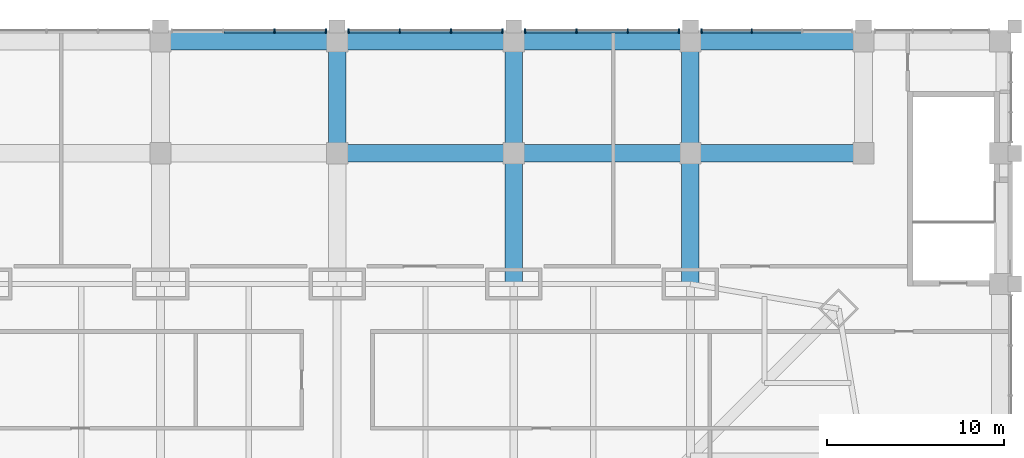
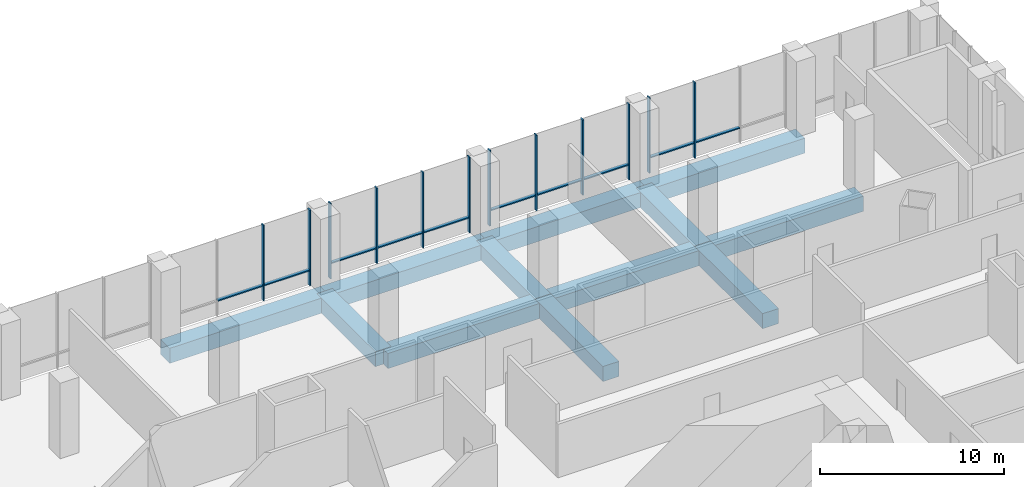
# One storey, part 11 of 22: 22 members, 12 beams, 4 elements without a shape of their own.
"""IFC4 building model written with IfcOpenShell, lengths in metres."""

from ifc_helpers import new_model, si_unit, direction, frame, origin, origin_2d, place, context, subcontext, project, spatial, rectangle, extrude, material, material_profile, profile_set, type_object, element, aggregate, save


model = new_model("IFC4")

# Units and contexts
model_context = context("Model", 3, precision=1e-05, world=origin(), true_north=direction((0.0, 1.0)))
body_context = subcontext(model_context, "Body", "Model", "MODEL_VIEW")
ifc_project = project(units=[si_unit("LENGTHUNIT", "METRE"), si_unit("AREAUNIT", "SQUARE_METRE"), si_unit("VOLUMEUNIT", "CUBIC_METRE"), si_unit("PLANEANGLEUNIT", "RADIAN"), si_unit("MASSUNIT", "GRAM", prefix="KILO")], contexts=[model_context])

# Site, building, storey
site_placement = place(None, origin())
site = spatial("IfcSite", under=ifc_project, at=site_placement, CompositionType="ELEMENT")
building_placement = place(site_placement, origin())
building = spatial("IfcBuilding", under=site, at=building_placement, Name="Khuree Lantern Residences", CompositionType="ELEMENT")
storey_placement = place(building_placement, frame((0.0, 0.0, 16.0)))
storey = spatial("IfcBuildingStorey", under=building, at=storey_placement, Name="L03", CompositionType="ELEMENT", Elevation=16.0)

# Curtain wall, members
ifc_material_1 = material(Name="Bronze anodised aluminium", Category="aluminium")
curtain_wall_type = type_object("IfcCurtainWallType", Name="CW-P PODIUM STOREFRONT CURTAIN WALL", PredefinedType="USERDEFINED", material=ifc_material_1)
curtain_wall_1_placement = place(storey_placement, origin())
curtain_wall_1 = element("IfcCurtainWall", 1, at=curtain_wall_1_placement, inside=storey, type_object=curtain_wall_type, Name="L03 NORTH FACE BAY 2 STOREFRONT", ObjectType="Storefront curtain wall", PredefinedType="USERDEFINED")
ifc_material_profile_1 = material_profile(ifc_material_1, rectangle(XDim=0.074951171875, YDim=0.25, at=origin_2d()), Name="M5 75X250")
ifc_profile_set_1 = profile_set([ifc_material_profile_1], Name="Bronze anodised aluminium")
member_type_1 = type_object("IfcMemberType", Name="MULLION M5 STOREFRONT 75X250", PredefinedType="MULLION", material=ifc_profile_set_1)
member_1_placement = place(storey_placement, frame((23.479248046875, 44.125, 0.0), z_axis=(0.0, 0.0, 1.0), x_axis=(-1.0, 0.0, 0.0)))
member_1 = element("IfcMember", 2, at=member_1_placement, type_object=member_type_1, Name="L03 NORTH FACE BAY 2 MULLION 3", PredefinedType="MULLION", context=body_context, shape_type="SweptSolid", body=[
    extrude(rectangle(XDim=0.074951171875, YDim=0.25, at=origin_2d()), origin(), (0.0, 0.0, 1.0), 5.0),
])
member_2_placement = place(storey_placement, frame((20.637451171875, 44.125, 0.0), z_axis=(0.0, 0.0, 1.0), x_axis=(-1.0, 0.0, 0.0)))
member_2 = element("IfcMember", 3, at=member_2_placement, type_object=member_type_1, Name="L03 NORTH FACE BAY 2 MULLION 4", PredefinedType="MULLION", context=body_context, shape_type="SweptSolid", body=[
    extrude(rectangle(XDim=0.074951171875, YDim=0.25, at=origin_2d()), origin(), (0.0, 0.0, 1.0), 5.0),
])

curtain_wall_2_placement = place(storey_placement, origin())
curtain_wall_2 = element("IfcCurtainWall", 4, at=curtain_wall_2_placement, inside=storey, type_object=curtain_wall_type, Name="L03 NORTH FACE BAY 3 STOREFRONT", ObjectType="Storefront curtain wall", PredefinedType="USERDEFINED")
member_3_placement = place(storey_placement, frame((19.362548828125, 44.125, 0.0), z_axis=(0.0, 0.0, 1.0), x_axis=(-1.0, 0.0, 0.0)))
member_3 = element("IfcMember", 5, at=member_3_placement, type_object=member_type_1, Name="L03 NORTH FACE BAY 3 MULLION 1", PredefinedType="MULLION", context=body_context, shape_type="SweptSolid", body=[
    extrude(rectangle(XDim=0.074951171875, YDim=0.25, at=origin_2d()), origin(), (0.0, 0.0, 1.0), 5.0),
])
member_4_placement = place(storey_placement, frame((16.4541015625, 44.125, 0.0), z_axis=(0.0, 0.0, 1.0), x_axis=(-1.0, 0.0, 0.0)))
member_4 = element("IfcMember", 6, at=member_4_placement, type_object=member_type_1, Name="L03 NORTH FACE BAY 3 MULLION 2", PredefinedType="MULLION", context=body_context, shape_type="SweptSolid", body=[
    extrude(rectangle(XDim=0.074951171875, YDim=0.25, at=origin_2d()), origin(), (0.0, 0.0, 1.0), 5.0),
])
member_5_placement = place(storey_placement, frame((13.5458984375, 44.125, 0.0), z_axis=(0.0, 0.0, 1.0), x_axis=(-1.0, 0.0, 0.0)))
member_5 = element("IfcMember", 7, at=member_5_placement, type_object=member_type_1, Name="L03 NORTH FACE BAY 3 MULLION 3", PredefinedType="MULLION", context=body_context, shape_type="SweptSolid", body=[
    extrude(rectangle(XDim=0.074951171875, YDim=0.25, at=origin_2d()), origin(), (0.0, 0.0, 1.0), 5.0),
])
member_6_placement = place(storey_placement, frame((10.637451171875, 44.125, 0.0), z_axis=(0.0, 0.0, 1.0), x_axis=(-1.0, 0.0, 0.0)))
member_6 = element("IfcMember", 8, at=member_6_placement, type_object=member_type_1, Name="L03 NORTH FACE BAY 3 MULLION 4", PredefinedType="MULLION", context=body_context, shape_type="SweptSolid", body=[
    extrude(rectangle(XDim=0.074951171875, YDim=0.25, at=origin_2d()), origin(), (0.0, 0.0, 1.0), 5.0),
])

curtain_wall_3_placement = place(storey_placement, origin())
curtain_wall_3 = element("IfcCurtainWall", 9, at=curtain_wall_3_placement, inside=storey, type_object=curtain_wall_type, Name="L03 NORTH FACE BAY 4 STOREFRONT", ObjectType="Storefront curtain wall", PredefinedType="USERDEFINED")
member_7_placement = place(storey_placement, frame((9.362548828125, 44.125, 0.0), z_axis=(0.0, 0.0, 1.0), x_axis=(-1.0, 0.0, 0.0)))
member_7 = element("IfcMember", 10, at=member_7_placement, type_object=member_type_1, Name="L03 NORTH FACE BAY 4 MULLION 1", PredefinedType="MULLION", context=body_context, shape_type="SweptSolid", body=[
    extrude(rectangle(XDim=0.074951171875, YDim=0.25, at=origin_2d()), origin(), (0.0, 0.0, 1.0), 5.0),
])
member_8_placement = place(storey_placement, frame((6.4541015625, 44.125, 0.0), z_axis=(0.0, 0.0, 1.0), x_axis=(-1.0, 0.0, 0.0)))
member_8 = element("IfcMember", 11, at=member_8_placement, type_object=member_type_1, Name="L03 NORTH FACE BAY 4 MULLION 2", PredefinedType="MULLION", context=body_context, shape_type="SweptSolid", body=[
    extrude(rectangle(XDim=0.074951171875, YDim=0.25, at=origin_2d()), origin(), (0.0, 0.0, 1.0), 5.0),
])
member_9_placement = place(storey_placement, frame((3.5458984375, 44.125, 0.0), z_axis=(0.0, 0.0, 1.0), x_axis=(-1.0, 0.0, 0.0)))
member_9 = element("IfcMember", 12, at=member_9_placement, type_object=member_type_1, Name="L03 NORTH FACE BAY 4 MULLION 3", PredefinedType="MULLION", context=body_context, shape_type="SweptSolid", body=[
    extrude(rectangle(XDim=0.074951171875, YDim=0.25, at=origin_2d()), origin(), (0.0, 0.0, 1.0), 5.0),
])
member_10_placement = place(storey_placement, frame((0.637451171875, 44.125, 0.0), z_axis=(0.0, 0.0, 1.0), x_axis=(-1.0, 0.0, 0.0)))
member_10 = element("IfcMember", 13, at=member_10_placement, type_object=member_type_1, Name="L03 NORTH FACE BAY 4 MULLION 4", PredefinedType="MULLION", context=body_context, shape_type="SweptSolid", body=[
    extrude(rectangle(XDim=0.074951171875, YDim=0.25, at=origin_2d()), origin(), (0.0, 0.0, 1.0), 5.0),
])

curtain_wall_4_placement = place(storey_placement, origin())
curtain_wall_4 = element("IfcCurtainWall", 14, at=curtain_wall_4_placement, inside=storey, type_object=curtain_wall_type, Name="L03 NORTH FACE BAY 5 STOREFRONT", ObjectType="Storefront curtain wall", PredefinedType="USERDEFINED")
member_11_placement = place(storey_placement, frame((-0.637451171875, 44.125, 0.0), z_axis=(0.0, 0.0, 1.0), x_axis=(-1.0, 0.0, 0.0)))
member_11 = element("IfcMember", 15, at=member_11_placement, type_object=member_type_1, Name="L03 NORTH FACE BAY 5 MULLION 1", PredefinedType="MULLION", context=body_context, shape_type="SweptSolid", body=[
    extrude(rectangle(XDim=0.074951171875, YDim=0.25, at=origin_2d()), origin(), (0.0, 0.0, 1.0), 5.0),
])
member_12_placement = place(storey_placement, frame((-3.5458984375, 44.125, 0.0), z_axis=(0.0, 0.0, 1.0), x_axis=(-1.0, 0.0, 0.0)))
member_12 = element("IfcMember", 16, at=member_12_placement, type_object=member_type_1, Name="L03 NORTH FACE BAY 5 MULLION 2", PredefinedType="MULLION", context=body_context, shape_type="SweptSolid", body=[
    extrude(rectangle(XDim=0.074951171875, YDim=0.25, at=origin_2d()), origin(), (0.0, 0.0, 1.0), 5.0),
])

# Beams
ifc_material_2 = material(Name="Concrete C40/50", Category="concrete")
ifc_material_profile_2 = material_profile(ifc_material_2, rectangle(XDim=1.0, YDim=1.0, at=origin_2d()), Name="RC 1000X1000")
ifc_profile_set_2 = profile_set([ifc_material_profile_2], Name="Concrete C40/50")
beam_type = type_object("IfcBeamType", Name="RB3 PODIUM BEAM RC 1000X1000", PredefinedType="BEAM", material=ifc_profile_set_2)
for number, where, z_axis, x_axis, name in (
    (17, (0.0, 37.199951171875, -0.800048828125), (1.0, 0.0, 0.0), (0.0, 1.0, 0.0), "Podium beam RB-14"),
    (18, (10.0, 37.199951171875, -0.800048828125), (1.0, 0.0, 0.0), (0.0, 1.0, 0.0), "Podium beam RB-15"),
):
    element("IfcBeam", number, at=place(storey_placement, frame(where, z_axis=z_axis, x_axis=x_axis)), inside=storey, type_object=beam_type, Name=name, PredefinedType="BEAM", context=body_context, shape_type="SweptSolid", body=[
        extrude(rectangle(XDim=1.0, YDim=1.0, at=origin_2d()), origin(), (0.0, 0.0, 1.0), 10.0),
    ])
beam_1_placement = place(storey_placement, frame((20.0, 37.199951171875, -0.800048828125), z_axis=(1.0, 0.0, 0.0), x_axis=(0.0, 1.0, 0.0)))
element("IfcBeam", 19, at=beam_1_placement, inside=storey, type_object=beam_type, Name="Podium beam RB-16", PredefinedType="BEAM", context=body_context, shape_type="SweptSolid", body=[
    extrude(rectangle(XDim=1.0, YDim=1.0, at=origin_2d()), origin(), (0.0, 0.0, 1.0), 9.800048828125),
])
for number, where, z_axis, x_axis, name in (
    (20, (-10.0, 43.550048828125, -0.800048828125), (1.0, 0.0, 0.0), (0.0, 1.0, 0.0), "Podium beam RB-20"),
    (21, (0.0, 43.550048828125, -0.800048828125), (1.0, 0.0, 0.0), (0.0, 1.0, 0.0), "Podium beam RB-21"),
    (22, (10.0, 43.550048828125, -0.800048828125), (1.0, 0.0, 0.0), (0.0, 1.0, 0.0), "Podium beam RB-22"),
):
    element("IfcBeam", number, at=place(storey_placement, frame(where, z_axis=z_axis, x_axis=x_axis)), inside=storey, type_object=beam_type, Name=name, PredefinedType="BEAM", context=body_context, shape_type="SweptSolid", body=[
        extrude(rectangle(XDim=1.0, YDim=1.0, at=origin_2d()), origin(), (0.0, 0.0, 1.0), 10.0),
    ])
beam_2_placement = place(storey_placement, frame((20.0, 43.550048828125, -0.800048828125), z_axis=(1.0, 0.0, 0.0), x_axis=(0.0, 1.0, 0.0)))
element("IfcBeam", 23, at=beam_2_placement, inside=storey, type_object=beam_type, Name="Podium beam RB-23", PredefinedType="BEAM", context=body_context, shape_type="SweptSolid", body=[
    extrude(rectangle(XDim=1.0, YDim=1.0, at=origin_2d()), origin(), (0.0, 0.0, 1.0), 9.800048828125),
])
beam_3_placement = place(storey_placement, frame((0.0, 37.199951171875, -0.800048828125), z_axis=(0.0, 1.0, 0.0), x_axis=(-1.0, 0.0, 0.0)))
element("IfcBeam", 24, at=beam_3_placement, inside=storey, type_object=beam_type, Name="Podium beam RB-39", PredefinedType="BEAM", context=body_context, shape_type="SweptSolid", body=[
    extrude(rectangle(XDim=1.0, YDim=1.0, at=origin_2d()), origin(), (0.0, 0.0, 1.0), 6.35009765625),
])
beam_4_placement = place(storey_placement, frame((10.0, 29.800048828125, -0.800048828125), z_axis=(0.0, 1.0, 0.0), x_axis=(-1.0, 0.0, 0.0)))
element("IfcBeam", 25, at=beam_4_placement, inside=storey, type_object=beam_type, Name="Podium beam RB-40", PredefinedType="BEAM", context=body_context, shape_type="SweptSolid", body=[
    extrude(rectangle(XDim=1.0, YDim=1.0, at=origin_2d()), origin(), (0.0, 0.0, 1.0), 7.39990234375),
])
beam_5_placement = place(storey_placement, frame((10.0, 37.199951171875, -0.800048828125), z_axis=(0.0, 1.0, 0.0), x_axis=(-1.0, 0.0, 0.0)))
element("IfcBeam", 26, at=beam_5_placement, inside=storey, type_object=beam_type, Name="Podium beam RB-41", PredefinedType="BEAM", context=body_context, shape_type="SweptSolid", body=[
    extrude(rectangle(XDim=1.0, YDim=1.0, at=origin_2d()), origin(), (0.0, 0.0, 1.0), 6.35009765625),
])
beam_6_placement = place(storey_placement, frame((20.0, 29.800048828125, -0.800048828125), z_axis=(0.0, 1.0, 0.0), x_axis=(-1.0, 0.0, 0.0)))
element("IfcBeam", 27, at=beam_6_placement, inside=storey, type_object=beam_type, Name="Podium beam RB-42", PredefinedType="BEAM", context=body_context, shape_type="SweptSolid", body=[
    extrude(rectangle(XDim=1.0, YDim=1.0, at=origin_2d()), origin(), (0.0, 0.0, 1.0), 7.39990234375),
])
beam_7_placement = place(storey_placement, frame((20.0, 37.199951171875, -0.800048828125), z_axis=(0.0, 1.0, 0.0), x_axis=(-1.0, 0.0, 0.0)))
element("IfcBeam", 28, at=beam_7_placement, inside=storey, type_object=beam_type, Name="Podium beam RB-43", PredefinedType="BEAM", context=body_context, shape_type="SweptSolid", body=[
    extrude(rectangle(XDim=1.0, YDim=1.0, at=origin_2d()), origin(), (0.0, 0.0, 1.0), 6.35009765625),
])

# Member
ifc_material_profile_3 = material_profile(ifc_material_1, rectangle(XDim=0.199951171875, YDim=0.074951171875, at=origin_2d()), Name="T5 200X75")
ifc_profile_set_3 = profile_set([ifc_material_profile_3], Name="Bronze anodised aluminium")
member_type_2 = type_object("IfcMemberType", Name="TRANSOM T5 STOREFRONT 200X75", PredefinedType="USERDEFINED", material=ifc_profile_set_3)
member_13_placement = place(storey_placement, frame((26.283447265625, 44.1201171875, 1.0), z_axis=(-1.0, 0.0, 0.0), x_axis=(0.0, -1.0, 0.0)))
member_13 = element("IfcMember", 29, at=member_13_placement, type_object=member_type_2, Name="L03 NORTH FACE BAY 2 TRANSOM 2", ObjectType="Transom", PredefinedType="USERDEFINED", context=body_context, shape_type="SweptSolid", body=[
    extrude(rectangle(XDim=0.199951171875, YDim=0.074951171875, at=origin_2d()), origin(), (0.0, 0.0, 1.0), 2.766845703125),
])

member_14_placement = place(storey_placement, frame((23.441650390625, 44.1201171875, 1.0), z_axis=(-1.0, 0.0, 0.0), x_axis=(0.0, -1.0, 0.0)))
member_14 = element("IfcMember", 30, at=member_14_placement, type_object=member_type_2, Name="L03 NORTH FACE BAY 2 TRANSOM 3", ObjectType="Transom", PredefinedType="USERDEFINED", context=body_context, shape_type="SweptSolid", body=[
    extrude(rectangle(XDim=0.199951171875, YDim=0.074951171875, at=origin_2d()), origin(), (0.0, 0.0, 1.0), 2.7666015625),
])

aggregate(curtain_wall_1, [member_1, member_2, member_13, member_14])

member_15_placement = place(storey_placement, frame((19.324951171875, 44.1201171875, 1.0), z_axis=(-1.0, 0.0, 0.0), x_axis=(0.0, -1.0, 0.0)))
member_15 = element("IfcMember", 31, at=member_15_placement, type_object=member_type_2, Name="L03 NORTH FACE BAY 3 TRANSOM 1", ObjectType="Transom", PredefinedType="USERDEFINED", context=body_context, shape_type="SweptSolid", body=[
    extrude(rectangle(XDim=0.199951171875, YDim=0.074951171875, at=origin_2d()), origin(), (0.0, 0.0, 1.0), 2.833251953125),
])

member_16_placement = place(storey_placement, frame((16.416748046875, 44.1201171875, 1.0), z_axis=(-1.0, 0.0, 0.0), x_axis=(0.0, -1.0, 0.0)))
member_16 = element("IfcMember", 32, at=member_16_placement, type_object=member_type_2, Name="L03 NORTH FACE BAY 3 TRANSOM 2", ObjectType="Transom", PredefinedType="USERDEFINED", context=body_context, shape_type="SweptSolid", body=[
    extrude(rectangle(XDim=0.199951171875, YDim=0.074951171875, at=origin_2d()), origin(), (0.0, 0.0, 1.0), 2.83349609375),
])

member_17_placement = place(storey_placement, frame((13.50830078125, 44.1201171875, 1.0), z_axis=(-1.0, 0.0, 0.0), x_axis=(0.0, -1.0, 0.0)))
member_17 = element("IfcMember", 33, at=member_17_placement, type_object=member_type_2, Name="L03 NORTH FACE BAY 3 TRANSOM 3", ObjectType="Transom", PredefinedType="USERDEFINED", context=body_context, shape_type="SweptSolid", body=[
    extrude(rectangle(XDim=0.199951171875, YDim=0.074951171875, at=origin_2d()), origin(), (0.0, 0.0, 1.0), 2.833251953125),
])

aggregate(curtain_wall_2, [member_3, member_4, member_5, member_6, member_15, member_16, member_17])

member_18_placement = place(storey_placement, frame((9.324951171875, 44.1201171875, 1.0), z_axis=(-1.0, 0.0, 0.0), x_axis=(0.0, -1.0, 0.0)))
member_18 = element("IfcMember", 34, at=member_18_placement, type_object=member_type_2, Name="L03 NORTH FACE BAY 4 TRANSOM 1", ObjectType="Transom", PredefinedType="USERDEFINED", context=body_context, shape_type="SweptSolid", body=[
    extrude(rectangle(XDim=0.199951171875, YDim=0.074951171875, at=origin_2d()), origin(), (0.0, 0.0, 1.0), 2.833251953125),
])

member_19_placement = place(storey_placement, frame((6.416748046875, 44.1201171875, 1.0), z_axis=(-1.0, 0.0, 0.0), x_axis=(0.0, -1.0, 0.0)))
member_19 = element("IfcMember", 35, at=member_19_placement, type_object=member_type_2, Name="L03 NORTH FACE BAY 4 TRANSOM 2", ObjectType="Transom", PredefinedType="USERDEFINED", context=body_context, shape_type="SweptSolid", body=[
    extrude(rectangle(XDim=0.199951171875, YDim=0.074951171875, at=origin_2d()), origin(), (0.0, 0.0, 1.0), 2.83349609375),
])

member_20_placement = place(storey_placement, frame((3.50830078125, 44.1201171875, 1.0), z_axis=(-1.0, 0.0, 0.0), x_axis=(0.0, -1.0, 0.0)))
member_20 = element("IfcMember", 36, at=member_20_placement, type_object=member_type_2, Name="L03 NORTH FACE BAY 4 TRANSOM 3", ObjectType="Transom", PredefinedType="USERDEFINED", context=body_context, shape_type="SweptSolid", body=[
    extrude(rectangle(XDim=0.199951171875, YDim=0.074951171875, at=origin_2d()), origin(), (0.0, 0.0, 1.0), 2.833251953125),
])

aggregate(curtain_wall_3, [member_7, member_8, member_9, member_10, member_18, member_19, member_20])

member_21_placement = place(storey_placement, frame((-0.675048828125, 44.1201171875, 1.0), z_axis=(-1.0, 0.0, 0.0), x_axis=(0.0, -1.0, 0.0)))
member_21 = element("IfcMember", 37, at=member_21_placement, type_object=member_type_2, Name="L03 NORTH FACE BAY 5 TRANSOM 1", ObjectType="Transom", PredefinedType="USERDEFINED", context=body_context, shape_type="SweptSolid", body=[
    extrude(rectangle(XDim=0.199951171875, YDim=0.074951171875, at=origin_2d()), origin(), (0.0, 0.0, 1.0), 2.833251953125),
])

member_22_placement = place(storey_placement, frame((-3.583251953125, 44.1201171875, 1.0), z_axis=(-1.0, 0.0, 0.0), x_axis=(0.0, -1.0, 0.0)))
member_22 = element("IfcMember", 38, at=member_22_placement, type_object=member_type_2, Name="L03 NORTH FACE BAY 5 TRANSOM 2", ObjectType="Transom", PredefinedType="USERDEFINED", context=body_context, shape_type="SweptSolid", body=[
    extrude(rectangle(XDim=0.199951171875, YDim=0.074951171875, at=origin_2d()), origin(), (0.0, 0.0, 1.0), 2.83349609375),
])

aggregate(curtain_wall_4, [member_11, member_12, member_21, member_22])

save(model, "model.ifc")
